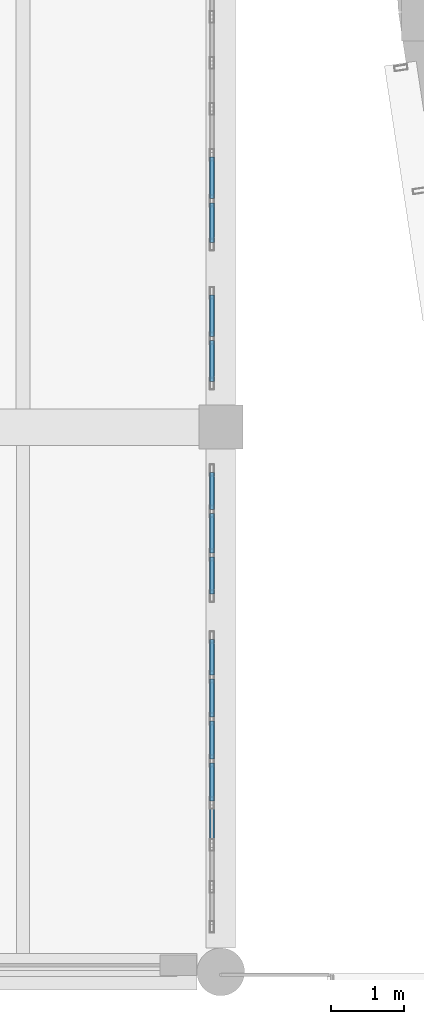
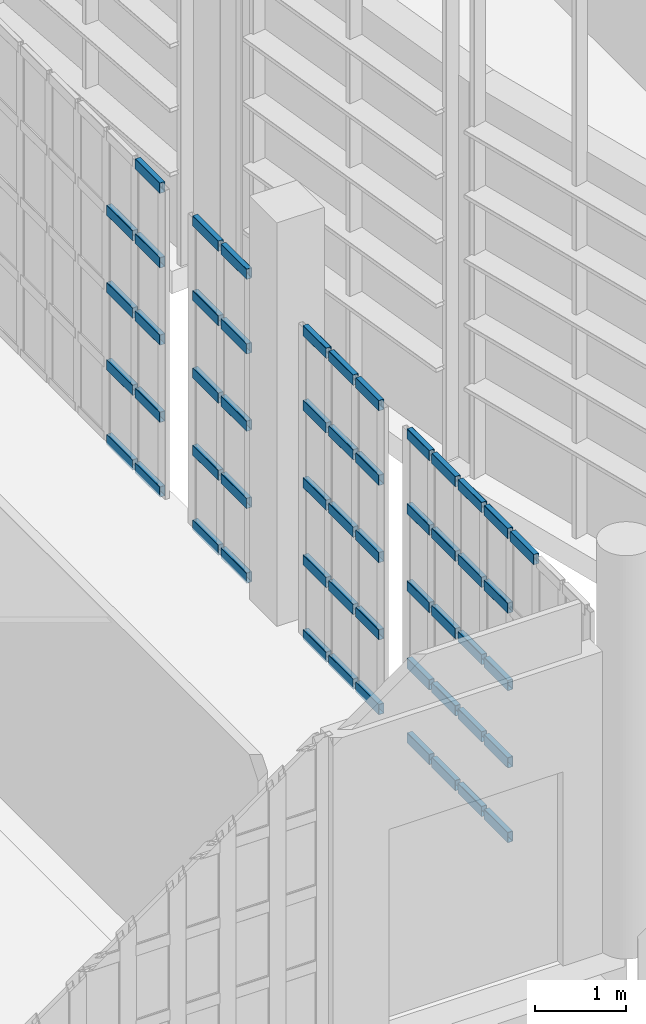
# One storey, part 302 of 372: 55 members, 4 elements without a shape of their own.
"""IFC4 building model written with IfcOpenShell, lengths in metres."""

from ifc_helpers import new_model, si_unit, direction, frame, origin, origin_2d, place, context, subcontext, project, spatial, hollow_rectangle, extrude, material, material_profile, profile_set, type_object, element, aggregate, save


model = new_model("IFC4")

# Units and contexts
model_context = context("Model", 3, precision=1e-05, world=origin(), true_north=direction((0.0, 1.0)))
body_context = subcontext(model_context, "Body", "Model", "MODEL_VIEW")
ifc_project = project(units=[si_unit("LENGTHUNIT", "METRE"), si_unit("AREAUNIT", "SQUARE_METRE"), si_unit("VOLUMEUNIT", "CUBIC_METRE"), si_unit("PLANEANGLEUNIT", "RADIAN"), si_unit("MASSUNIT", "GRAM", prefix="KILO")], contexts=[model_context])

# Site, building, storey
site_placement = place(None, origin())
site = spatial("IfcSite", under=ifc_project, at=site_placement, CompositionType="ELEMENT")
building_placement = place(site_placement, origin())
building = spatial("IfcBuilding", under=site, at=building_placement, Name="Kaelora Sail Theatre", CompositionType="ELEMENT")
storey_placement = place(building_placement, origin())
storey = spatial("IfcBuildingStorey", under=building, at=storey_placement, Name="L00", CompositionType="ELEMENT", Elevation=0.0)

# Curtain wall, members
ifc_material_1 = material(Name="Anodised aluminium and solar-control low-E IGU", Category="aluminium")
curtain_wall_type = type_object("IfcCurtainWallType", Name="ARC-CW-CW-FOY1", PredefinedType="NOTDEFINED", material=ifc_material_1)
curtain_wall_1_placement = place(storey_placement, origin())
curtain_wall_1 = element("IfcCurtainWall", 1, at=curtain_wall_1_placement, inside=storey, type_object=curtain_wall_type, Name="West Interstitial Foyer East Glazed Return L00-01", PredefinedType="NOTDEFINED")
ifc_material_2 = material(Name="Anodised aluminium 6063-T6", Category="aluminium")
ifc_material_profile = material_profile(ifc_material_2, hollow_rectangle(XDim=0.070068359375, YDim=0.139892578125, WallThickness=0.00390625, InnerFilletRadius=0.00390625, OuterFilletRadius=0.008056640625, at=origin_2d()), Name="ALU-TRAN 70x140x4")
ifc_profile_set = profile_set([ifc_material_profile], Name="Anodised aluminium 6063-T6")
member_type = type_object("IfcMemberType", Name="ARC-MEM-TR-140", PredefinedType="USERDEFINED", material=ifc_profile_set)
member_1_placement = place(storey_placement, frame((74.280029296875, 40.462158203125, 4.10205078125), z_axis=(0.0, 1.0, 0.0), x_axis=(-1.0, 0.0, 0.0)))
member_1 = element("IfcMember", 2, at=member_1_placement, type_object=member_type, Name="CW-FOY1 transom 3.5", ObjectType="TRANSOM", PredefinedType="USERDEFINED", context=body_context, shape_type="SweptSolid", body=[
    extrude(hollow_rectangle(XDim=0.070068359375, YDim=0.139892578125, WallThickness=0.00390625, InnerFilletRadius=0.00390625, OuterFilletRadius=0.008056640625, at=origin_2d()), origin(), (0.0, 0.0, 1.0), 0.513671875),
])
member_2_placement = place(storey_placement, frame((74.280029296875, 41.03564453125, 0.034912109375), z_axis=(0.0, 1.0, 0.0), x_axis=(-1.0, 0.0, 0.0)))
member_2 = element("IfcMember", 3, at=member_2_placement, type_object=member_type, Name="CW-FOY1 transom 4.1", ObjectType="TRANSOM", PredefinedType="USERDEFINED", context=body_context, shape_type="SweptSolid", body=[
    extrude(hollow_rectangle(XDim=0.070068359375, YDim=0.139892578125, WallThickness=0.00390625, InnerFilletRadius=0.00390625, OuterFilletRadius=0.008056640625, at=origin_2d()), origin(), (0.0, 0.0, 1.0), 0.513671875),
])
member_3_placement = place(storey_placement, frame((74.280029296875, 41.03564453125, 1.0341796875), z_axis=(0.0, 1.0, 0.0), x_axis=(-1.0, 0.0, 0.0)))
member_3 = element("IfcMember", 4, at=member_3_placement, type_object=member_type, Name="CW-FOY1 transom 4.2", ObjectType="TRANSOM", PredefinedType="USERDEFINED", context=body_context, shape_type="SweptSolid", body=[
    extrude(hollow_rectangle(XDim=0.070068359375, YDim=0.139892578125, WallThickness=0.00390625, InnerFilletRadius=0.00390625, OuterFilletRadius=0.008056640625, at=origin_2d()), origin(), (0.0, 0.0, 1.0), 0.513671875),
])
member_4_placement = place(storey_placement, frame((74.280029296875, 41.03564453125, 2.068603515625), z_axis=(0.0, 1.0, 0.0), x_axis=(-1.0, 0.0, 0.0)))
member_4 = element("IfcMember", 5, at=member_4_placement, type_object=member_type, Name="CW-FOY1 transom 4.3", ObjectType="TRANSOM", PredefinedType="USERDEFINED", context=body_context, shape_type="SweptSolid", body=[
    extrude(hollow_rectangle(XDim=0.070068359375, YDim=0.139892578125, WallThickness=0.00390625, InnerFilletRadius=0.00390625, OuterFilletRadius=0.008056640625, at=origin_2d()), origin(), (0.0, 0.0, 1.0), 0.513671875),
])
member_5_placement = place(storey_placement, frame((74.280029296875, 41.03564453125, 3.102783203125), z_axis=(0.0, 1.0, 0.0), x_axis=(-1.0, 0.0, 0.0)))
member_5 = element("IfcMember", 6, at=member_5_placement, type_object=member_type, Name="CW-FOY1 transom 4.4", ObjectType="TRANSOM", PredefinedType="USERDEFINED", context=body_context, shape_type="SweptSolid", body=[
    extrude(hollow_rectangle(XDim=0.070068359375, YDim=0.139892578125, WallThickness=0.00390625, InnerFilletRadius=0.00390625, OuterFilletRadius=0.008056640625, at=origin_2d()), origin(), (0.0, 0.0, 1.0), 0.513671875),
])
member_6_placement = place(storey_placement, frame((74.280029296875, 41.03564453125, 4.10205078125), z_axis=(0.0, 1.0, 0.0), x_axis=(-1.0, 0.0, 0.0)))
member_6 = element("IfcMember", 7, at=member_6_placement, type_object=member_type, Name="CW-FOY1 transom 4.5", ObjectType="TRANSOM", PredefinedType="USERDEFINED", context=body_context, shape_type="SweptSolid", body=[
    extrude(hollow_rectangle(XDim=0.070068359375, YDim=0.139892578125, WallThickness=0.00390625, InnerFilletRadius=0.00390625, OuterFilletRadius=0.008056640625, at=origin_2d()), origin(), (0.0, 0.0, 1.0), 0.513671875),
])
member_7_placement = place(storey_placement, frame((74.280029296875, 41.609375, 0.034912109375), z_axis=(0.0, 1.0, 0.0), x_axis=(-1.0, 0.0, 0.0)))
member_7 = element("IfcMember", 8, at=member_7_placement, type_object=member_type, Name="CW-FOY1 transom 5.1", ObjectType="TRANSOM", PredefinedType="USERDEFINED", context=body_context, shape_type="SweptSolid", body=[
    extrude(hollow_rectangle(XDim=0.070068359375, YDim=0.139892578125, WallThickness=0.00390625, InnerFilletRadius=0.00390625, OuterFilletRadius=0.008056640625, at=origin_2d()), origin(), (0.0, 0.0, 1.0), 0.513427734375),
])
member_8_placement = place(storey_placement, frame((74.280029296875, 41.609375, 1.0341796875), z_axis=(0.0, 1.0, 0.0), x_axis=(-1.0, 0.0, 0.0)))
member_8 = element("IfcMember", 9, at=member_8_placement, type_object=member_type, Name="CW-FOY1 transom 5.2", ObjectType="TRANSOM", PredefinedType="USERDEFINED", context=body_context, shape_type="SweptSolid", body=[
    extrude(hollow_rectangle(XDim=0.070068359375, YDim=0.139892578125, WallThickness=0.00390625, InnerFilletRadius=0.00390625, OuterFilletRadius=0.008056640625, at=origin_2d()), origin(), (0.0, 0.0, 1.0), 0.513427734375),
])
member_9_placement = place(storey_placement, frame((74.280029296875, 41.609375, 2.068603515625), z_axis=(0.0, 1.0, 0.0), x_axis=(-1.0, 0.0, 0.0)))
member_9 = element("IfcMember", 10, at=member_9_placement, type_object=member_type, Name="CW-FOY1 transom 5.3", ObjectType="TRANSOM", PredefinedType="USERDEFINED", context=body_context, shape_type="SweptSolid", body=[
    extrude(hollow_rectangle(XDim=0.070068359375, YDim=0.139892578125, WallThickness=0.00390625, InnerFilletRadius=0.00390625, OuterFilletRadius=0.008056640625, at=origin_2d()), origin(), (0.0, 0.0, 1.0), 0.513427734375),
])
member_10_placement = place(storey_placement, frame((74.280029296875, 41.609375, 3.102783203125), z_axis=(0.0, 1.0, 0.0), x_axis=(-1.0, 0.0, 0.0)))
member_10 = element("IfcMember", 11, at=member_10_placement, type_object=member_type, Name="CW-FOY1 transom 5.4", ObjectType="TRANSOM", PredefinedType="USERDEFINED", context=body_context, shape_type="SweptSolid", body=[
    extrude(hollow_rectangle(XDim=0.070068359375, YDim=0.139892578125, WallThickness=0.00390625, InnerFilletRadius=0.00390625, OuterFilletRadius=0.008056640625, at=origin_2d()), origin(), (0.0, 0.0, 1.0), 0.513427734375),
])
member_11_placement = place(storey_placement, frame((74.280029296875, 41.609375, 4.10205078125), z_axis=(0.0, 1.0, 0.0), x_axis=(-1.0, 0.0, 0.0)))
member_11 = element("IfcMember", 12, at=member_11_placement, type_object=member_type, Name="CW-FOY1 transom 5.5", ObjectType="TRANSOM", PredefinedType="USERDEFINED", context=body_context, shape_type="SweptSolid", body=[
    extrude(hollow_rectangle(XDim=0.070068359375, YDim=0.139892578125, WallThickness=0.00390625, InnerFilletRadius=0.00390625, OuterFilletRadius=0.008056640625, at=origin_2d()), origin(), (0.0, 0.0, 1.0), 0.513427734375),
])
member_12_placement = place(storey_placement, frame((74.280029296875, 42.182861328125, 0.034912109375), z_axis=(0.0, 1.0, 0.0), x_axis=(-1.0, 0.0, 0.0)))
member_12 = element("IfcMember", 13, at=member_12_placement, type_object=member_type, Name="CW-FOY1 transom 6.1", ObjectType="TRANSOM", PredefinedType="USERDEFINED", context=body_context, shape_type="SweptSolid", body=[
    extrude(hollow_rectangle(XDim=0.070068359375, YDim=0.139892578125, WallThickness=0.00390625, InnerFilletRadius=0.00390625, OuterFilletRadius=0.008056640625, at=origin_2d()), origin(), (0.0, 0.0, 1.0), 0.513671875),
])
member_13_placement = place(storey_placement, frame((74.280029296875, 42.182861328125, 1.0341796875), z_axis=(0.0, 1.0, 0.0), x_axis=(-1.0, 0.0, 0.0)))
member_13 = element("IfcMember", 14, at=member_13_placement, type_object=member_type, Name="CW-FOY1 transom 6.2", ObjectType="TRANSOM", PredefinedType="USERDEFINED", context=body_context, shape_type="SweptSolid", body=[
    extrude(hollow_rectangle(XDim=0.070068359375, YDim=0.139892578125, WallThickness=0.00390625, InnerFilletRadius=0.00390625, OuterFilletRadius=0.008056640625, at=origin_2d()), origin(), (0.0, 0.0, 1.0), 0.513671875),
])
member_14_placement = place(storey_placement, frame((74.280029296875, 42.182861328125, 2.068603515625), z_axis=(0.0, 1.0, 0.0), x_axis=(-1.0, 0.0, 0.0)))
member_14 = element("IfcMember", 15, at=member_14_placement, type_object=member_type, Name="CW-FOY1 transom 6.3", ObjectType="TRANSOM", PredefinedType="USERDEFINED", context=body_context, shape_type="SweptSolid", body=[
    extrude(hollow_rectangle(XDim=0.070068359375, YDim=0.139892578125, WallThickness=0.00390625, InnerFilletRadius=0.00390625, OuterFilletRadius=0.008056640625, at=origin_2d()), origin(), (0.0, 0.0, 1.0), 0.513671875),
])
member_15_placement = place(storey_placement, frame((74.280029296875, 42.182861328125, 3.102783203125), z_axis=(0.0, 1.0, 0.0), x_axis=(-1.0, 0.0, 0.0)))
member_15 = element("IfcMember", 16, at=member_15_placement, type_object=member_type, Name="CW-FOY1 transom 6.4", ObjectType="TRANSOM", PredefinedType="USERDEFINED", context=body_context, shape_type="SweptSolid", body=[
    extrude(hollow_rectangle(XDim=0.070068359375, YDim=0.139892578125, WallThickness=0.00390625, InnerFilletRadius=0.00390625, OuterFilletRadius=0.008056640625, at=origin_2d()), origin(), (0.0, 0.0, 1.0), 0.513671875),
])
member_16_placement = place(storey_placement, frame((74.280029296875, 42.182861328125, 4.10205078125), z_axis=(0.0, 1.0, 0.0), x_axis=(-1.0, 0.0, 0.0)))
member_16 = element("IfcMember", 17, at=member_16_placement, type_object=member_type, Name="CW-FOY1 transom 6.5", ObjectType="TRANSOM", PredefinedType="USERDEFINED", context=body_context, shape_type="SweptSolid", body=[
    extrude(hollow_rectangle(XDim=0.070068359375, YDim=0.139892578125, WallThickness=0.00390625, InnerFilletRadius=0.00390625, OuterFilletRadius=0.008056640625, at=origin_2d()), origin(), (0.0, 0.0, 1.0), 0.513671875),
])
member_17_placement = place(storey_placement, frame((74.280029296875, 42.75634765625, 0.034912109375), z_axis=(0.0, 1.0, 0.0), x_axis=(-1.0, 0.0, 0.0)))
member_17 = element("IfcMember", 18, at=member_17_placement, type_object=member_type, Name="CW-FOY1 transom 7.1", ObjectType="TRANSOM", PredefinedType="USERDEFINED", context=body_context, shape_type="SweptSolid", body=[
    extrude(hollow_rectangle(XDim=0.070068359375, YDim=0.139892578125, WallThickness=0.00390625, InnerFilletRadius=0.00390625, OuterFilletRadius=0.008056640625, at=origin_2d()), origin(), (0.0, 0.0, 1.0), 0.483642578125),
])
member_18_placement = place(storey_placement, frame((74.280029296875, 42.75634765625, 1.0341796875), z_axis=(0.0, 1.0, 0.0), x_axis=(-1.0, 0.0, 0.0)))
member_18 = element("IfcMember", 19, at=member_18_placement, type_object=member_type, Name="CW-FOY1 transom 7.2", ObjectType="TRANSOM", PredefinedType="USERDEFINED", context=body_context, shape_type="SweptSolid", body=[
    extrude(hollow_rectangle(XDim=0.070068359375, YDim=0.139892578125, WallThickness=0.00390625, InnerFilletRadius=0.00390625, OuterFilletRadius=0.008056640625, at=origin_2d()), origin(), (0.0, 0.0, 1.0), 0.483642578125),
])
member_19_placement = place(storey_placement, frame((74.280029296875, 42.75634765625, 2.068603515625), z_axis=(0.0, 1.0, 0.0), x_axis=(-1.0, 0.0, 0.0)))
member_19 = element("IfcMember", 20, at=member_19_placement, type_object=member_type, Name="CW-FOY1 transom 7.3", ObjectType="TRANSOM", PredefinedType="USERDEFINED", context=body_context, shape_type="SweptSolid", body=[
    extrude(hollow_rectangle(XDim=0.070068359375, YDim=0.139892578125, WallThickness=0.00390625, InnerFilletRadius=0.00390625, OuterFilletRadius=0.008056640625, at=origin_2d()), origin(), (0.0, 0.0, 1.0), 0.483642578125),
])
member_20_placement = place(storey_placement, frame((74.280029296875, 42.75634765625, 3.102783203125), z_axis=(0.0, 1.0, 0.0), x_axis=(-1.0, 0.0, 0.0)))
member_20 = element("IfcMember", 21, at=member_20_placement, type_object=member_type, Name="CW-FOY1 transom 7.4", ObjectType="TRANSOM", PredefinedType="USERDEFINED", context=body_context, shape_type="SweptSolid", body=[
    extrude(hollow_rectangle(XDim=0.070068359375, YDim=0.139892578125, WallThickness=0.00390625, InnerFilletRadius=0.00390625, OuterFilletRadius=0.008056640625, at=origin_2d()), origin(), (0.0, 0.0, 1.0), 0.483642578125),
])
member_21_placement = place(storey_placement, frame((74.280029296875, 42.75634765625, 4.10205078125), z_axis=(0.0, 1.0, 0.0), x_axis=(-1.0, 0.0, 0.0)))
member_21 = element("IfcMember", 22, at=member_21_placement, type_object=member_type, Name="CW-FOY1 transom 7.5", ObjectType="TRANSOM", PredefinedType="USERDEFINED", context=body_context, shape_type="SweptSolid", body=[
    extrude(hollow_rectangle(XDim=0.070068359375, YDim=0.139892578125, WallThickness=0.00390625, InnerFilletRadius=0.00390625, OuterFilletRadius=0.008056640625, at=origin_2d()), origin(), (0.0, 0.0, 1.0), 0.483642578125),
])
aggregate(curtain_wall_1, [member_1, member_2, member_3, member_4, member_5, member_6, member_7, member_8, member_9, member_10, member_11, member_12, member_13, member_14, member_15, member_16, member_17, member_18, member_19, member_20, member_21])

curtain_wall_2_placement = place(storey_placement, origin())
curtain_wall_2 = element("IfcCurtainWall", 23, at=curtain_wall_2_placement, inside=storey, type_object=curtain_wall_type, Name="West Interstitial Foyer East Glazed Return L00-02", PredefinedType="NOTDEFINED")
member_22_placement = place(storey_placement, frame((74.280029296875, 43.860107421875, 0.034912109375), z_axis=(0.0, 1.0, 0.0), x_axis=(-1.0, 0.0, 0.0)))
member_22 = element("IfcMember", 24, at=member_22_placement, type_object=member_type, Name="CW-FOY1 transom 1.1", ObjectType="TRANSOM", PredefinedType="USERDEFINED", context=body_context, shape_type="SweptSolid", body=[
    extrude(hollow_rectangle(XDim=0.070068359375, YDim=0.139892578125, WallThickness=0.00390625, InnerFilletRadius=0.00390625, OuterFilletRadius=0.008056640625, at=origin_2d()), origin(), (0.0, 0.0, 1.0), 0.503173828125),
])
member_23_placement = place(storey_placement, frame((74.280029296875, 43.860107421875, 1.0341796875), z_axis=(0.0, 1.0, 0.0), x_axis=(-1.0, 0.0, 0.0)))
member_23 = element("IfcMember", 25, at=member_23_placement, type_object=member_type, Name="CW-FOY1 transom 1.2", ObjectType="TRANSOM", PredefinedType="USERDEFINED", context=body_context, shape_type="SweptSolid", body=[
    extrude(hollow_rectangle(XDim=0.070068359375, YDim=0.139892578125, WallThickness=0.00390625, InnerFilletRadius=0.00390625, OuterFilletRadius=0.008056640625, at=origin_2d()), origin(), (0.0, 0.0, 1.0), 0.503173828125),
])
member_24_placement = place(storey_placement, frame((74.280029296875, 43.860107421875, 2.068603515625), z_axis=(0.0, 1.0, 0.0), x_axis=(-1.0, 0.0, 0.0)))
member_24 = element("IfcMember", 26, at=member_24_placement, type_object=member_type, Name="CW-FOY1 transom 1.3", ObjectType="TRANSOM", PredefinedType="USERDEFINED", context=body_context, shape_type="SweptSolid", body=[
    extrude(hollow_rectangle(XDim=0.070068359375, YDim=0.139892578125, WallThickness=0.00390625, InnerFilletRadius=0.00390625, OuterFilletRadius=0.008056640625, at=origin_2d()), origin(), (0.0, 0.0, 1.0), 0.503173828125),
])
member_25_placement = place(storey_placement, frame((74.280029296875, 43.860107421875, 3.102783203125), z_axis=(0.0, 1.0, 0.0), x_axis=(-1.0, 0.0, 0.0)))
member_25 = element("IfcMember", 27, at=member_25_placement, type_object=member_type, Name="CW-FOY1 transom 1.4", ObjectType="TRANSOM", PredefinedType="USERDEFINED", context=body_context, shape_type="SweptSolid", body=[
    extrude(hollow_rectangle(XDim=0.070068359375, YDim=0.139892578125, WallThickness=0.00390625, InnerFilletRadius=0.00390625, OuterFilletRadius=0.008056640625, at=origin_2d()), origin(), (0.0, 0.0, 1.0), 0.503173828125),
])
member_26_placement = place(storey_placement, frame((74.280029296875, 43.860107421875, 4.10205078125), z_axis=(0.0, 1.0, 0.0), x_axis=(-1.0, 0.0, 0.0)))
member_26 = element("IfcMember", 28, at=member_26_placement, type_object=member_type, Name="CW-FOY1 transom 1.5", ObjectType="TRANSOM", PredefinedType="USERDEFINED", context=body_context, shape_type="SweptSolid", body=[
    extrude(hollow_rectangle(XDim=0.070068359375, YDim=0.139892578125, WallThickness=0.00390625, InnerFilletRadius=0.00390625, OuterFilletRadius=0.008056640625, at=origin_2d()), origin(), (0.0, 0.0, 1.0), 0.503173828125),
])
member_27_placement = place(storey_placement, frame((74.280029296875, 44.42333984375, 0.034912109375), z_axis=(0.0, 1.0, 0.0), x_axis=(-1.0, 0.0, 0.0)))
member_27 = element("IfcMember", 29, at=member_27_placement, type_object=member_type, Name="CW-FOY1 transom 2.1", ObjectType="TRANSOM", PredefinedType="USERDEFINED", context=body_context, shape_type="SweptSolid", body=[
    extrude(hollow_rectangle(XDim=0.070068359375, YDim=0.139892578125, WallThickness=0.00390625, InnerFilletRadius=0.00390625, OuterFilletRadius=0.008056640625, at=origin_2d()), origin(), (0.0, 0.0, 1.0), 0.533447265625),
])
member_28_placement = place(storey_placement, frame((74.280029296875, 44.42333984375, 1.0341796875), z_axis=(0.0, 1.0, 0.0), x_axis=(-1.0, 0.0, 0.0)))
member_28 = element("IfcMember", 30, at=member_28_placement, type_object=member_type, Name="CW-FOY1 transom 2.2", ObjectType="TRANSOM", PredefinedType="USERDEFINED", context=body_context, shape_type="SweptSolid", body=[
    extrude(hollow_rectangle(XDim=0.070068359375, YDim=0.139892578125, WallThickness=0.00390625, InnerFilletRadius=0.00390625, OuterFilletRadius=0.008056640625, at=origin_2d()), origin(), (0.0, 0.0, 1.0), 0.533447265625),
])
member_29_placement = place(storey_placement, frame((74.280029296875, 44.42333984375, 2.068603515625), z_axis=(0.0, 1.0, 0.0), x_axis=(-1.0, 0.0, 0.0)))
member_29 = element("IfcMember", 31, at=member_29_placement, type_object=member_type, Name="CW-FOY1 transom 2.3", ObjectType="TRANSOM", PredefinedType="USERDEFINED", context=body_context, shape_type="SweptSolid", body=[
    extrude(hollow_rectangle(XDim=0.070068359375, YDim=0.139892578125, WallThickness=0.00390625, InnerFilletRadius=0.00390625, OuterFilletRadius=0.008056640625, at=origin_2d()), origin(), (0.0, 0.0, 1.0), 0.533447265625),
])
member_30_placement = place(storey_placement, frame((74.280029296875, 44.42333984375, 3.102783203125), z_axis=(0.0, 1.0, 0.0), x_axis=(-1.0, 0.0, 0.0)))
member_30 = element("IfcMember", 32, at=member_30_placement, type_object=member_type, Name="CW-FOY1 transom 2.4", ObjectType="TRANSOM", PredefinedType="USERDEFINED", context=body_context, shape_type="SweptSolid", body=[
    extrude(hollow_rectangle(XDim=0.070068359375, YDim=0.139892578125, WallThickness=0.00390625, InnerFilletRadius=0.00390625, OuterFilletRadius=0.008056640625, at=origin_2d()), origin(), (0.0, 0.0, 1.0), 0.533447265625),
])
member_31_placement = place(storey_placement, frame((74.280029296875, 44.42333984375, 4.10205078125), z_axis=(0.0, 1.0, 0.0), x_axis=(-1.0, 0.0, 0.0)))
member_31 = element("IfcMember", 33, at=member_31_placement, type_object=member_type, Name="CW-FOY1 transom 2.5", ObjectType="TRANSOM", PredefinedType="USERDEFINED", context=body_context, shape_type="SweptSolid", body=[
    extrude(hollow_rectangle(XDim=0.070068359375, YDim=0.139892578125, WallThickness=0.00390625, InnerFilletRadius=0.00390625, OuterFilletRadius=0.008056640625, at=origin_2d()), origin(), (0.0, 0.0, 1.0), 0.533447265625),
])
member_32_placement = place(storey_placement, frame((74.280029296875, 45.0166015625, 0.034912109375), z_axis=(0.0, 1.0, 0.0), x_axis=(-1.0, 0.0, 0.0)))
member_32 = element("IfcMember", 34, at=member_32_placement, type_object=member_type, Name="CW-FOY1 transom 3.1", ObjectType="TRANSOM", PredefinedType="USERDEFINED", context=body_context, shape_type="SweptSolid", body=[
    extrude(hollow_rectangle(XDim=0.070068359375, YDim=0.139892578125, WallThickness=0.00390625, InnerFilletRadius=0.00390625, OuterFilletRadius=0.008056640625, at=origin_2d()), origin(), (0.0, 0.0, 1.0), 0.50341796875),
])
member_33_placement = place(storey_placement, frame((74.280029296875, 45.0166015625, 1.0341796875), z_axis=(0.0, 1.0, 0.0), x_axis=(-1.0, 0.0, 0.0)))
member_33 = element("IfcMember", 35, at=member_33_placement, type_object=member_type, Name="CW-FOY1 transom 3.2", ObjectType="TRANSOM", PredefinedType="USERDEFINED", context=body_context, shape_type="SweptSolid", body=[
    extrude(hollow_rectangle(XDim=0.070068359375, YDim=0.139892578125, WallThickness=0.00390625, InnerFilletRadius=0.00390625, OuterFilletRadius=0.008056640625, at=origin_2d()), origin(), (0.0, 0.0, 1.0), 0.50341796875),
])
member_34_placement = place(storey_placement, frame((74.280029296875, 45.0166015625, 2.068603515625), z_axis=(0.0, 1.0, 0.0), x_axis=(-1.0, 0.0, 0.0)))
member_34 = element("IfcMember", 36, at=member_34_placement, type_object=member_type, Name="CW-FOY1 transom 3.3", ObjectType="TRANSOM", PredefinedType="USERDEFINED", context=body_context, shape_type="SweptSolid", body=[
    extrude(hollow_rectangle(XDim=0.070068359375, YDim=0.139892578125, WallThickness=0.00390625, InnerFilletRadius=0.00390625, OuterFilletRadius=0.008056640625, at=origin_2d()), origin(), (0.0, 0.0, 1.0), 0.50341796875),
])
member_35_placement = place(storey_placement, frame((74.280029296875, 45.0166015625, 3.102783203125), z_axis=(0.0, 1.0, 0.0), x_axis=(-1.0, 0.0, 0.0)))
member_35 = element("IfcMember", 37, at=member_35_placement, type_object=member_type, Name="CW-FOY1 transom 3.4", ObjectType="TRANSOM", PredefinedType="USERDEFINED", context=body_context, shape_type="SweptSolid", body=[
    extrude(hollow_rectangle(XDim=0.070068359375, YDim=0.139892578125, WallThickness=0.00390625, InnerFilletRadius=0.00390625, OuterFilletRadius=0.008056640625, at=origin_2d()), origin(), (0.0, 0.0, 1.0), 0.50341796875),
])
member_36_placement = place(storey_placement, frame((74.280029296875, 45.0166015625, 4.10205078125), z_axis=(0.0, 1.0, 0.0), x_axis=(-1.0, 0.0, 0.0)))
member_36 = element("IfcMember", 38, at=member_36_placement, type_object=member_type, Name="CW-FOY1 transom 3.5", ObjectType="TRANSOM", PredefinedType="USERDEFINED", context=body_context, shape_type="SweptSolid", body=[
    extrude(hollow_rectangle(XDim=0.070068359375, YDim=0.139892578125, WallThickness=0.00390625, InnerFilletRadius=0.00390625, OuterFilletRadius=0.008056640625, at=origin_2d()), origin(), (0.0, 0.0, 1.0), 0.50341796875),
])
aggregate(curtain_wall_2, [member_22, member_23, member_24, member_25, member_26, member_27, member_28, member_29, member_30, member_31, member_32, member_33, member_34, member_35, member_36])

curtain_wall_3_placement = place(storey_placement, origin())
curtain_wall_3 = element("IfcCurtainWall", 39, at=curtain_wall_3_placement, inside=storey, type_object=curtain_wall_type, Name="West Interstitial Foyer East Glazed Return L00-02", PredefinedType="NOTDEFINED")
member_37_placement = place(storey_placement, frame((74.280029296875, 46.760009765625, 0.034912109375), z_axis=(0.0, 1.0, 0.0), x_axis=(-1.0, 0.0, 0.0)))
member_37 = element("IfcMember", 40, at=member_37_placement, type_object=member_type, Name="CW-FOY1 transom 1.1", ObjectType="TRANSOM", PredefinedType="USERDEFINED", context=body_context, shape_type="SweptSolid", body=[
    extrude(hollow_rectangle(XDim=0.070068359375, YDim=0.139892578125, WallThickness=0.00390625, InnerFilletRadius=0.00390625, OuterFilletRadius=0.008056640625, at=origin_2d()), origin(), (0.0, 0.0, 1.0), 0.56005859375),
])
member_38_placement = place(storey_placement, frame((74.280029296875, 46.760009765625, 1.0341796875), z_axis=(0.0, 1.0, 0.0), x_axis=(-1.0, 0.0, 0.0)))
member_38 = element("IfcMember", 41, at=member_38_placement, type_object=member_type, Name="CW-FOY1 transom 1.2", ObjectType="TRANSOM", PredefinedType="USERDEFINED", context=body_context, shape_type="SweptSolid", body=[
    extrude(hollow_rectangle(XDim=0.070068359375, YDim=0.139892578125, WallThickness=0.00390625, InnerFilletRadius=0.00390625, OuterFilletRadius=0.008056640625, at=origin_2d()), origin(), (0.0, 0.0, 1.0), 0.56005859375),
])
member_39_placement = place(storey_placement, frame((74.280029296875, 46.760009765625, 2.068603515625), z_axis=(0.0, 1.0, 0.0), x_axis=(-1.0, 0.0, 0.0)))
member_39 = element("IfcMember", 42, at=member_39_placement, type_object=member_type, Name="CW-FOY1 transom 1.3", ObjectType="TRANSOM", PredefinedType="USERDEFINED", context=body_context, shape_type="SweptSolid", body=[
    extrude(hollow_rectangle(XDim=0.070068359375, YDim=0.139892578125, WallThickness=0.00390625, InnerFilletRadius=0.00390625, OuterFilletRadius=0.008056640625, at=origin_2d()), origin(), (0.0, 0.0, 1.0), 0.56005859375),
])
member_40_placement = place(storey_placement, frame((74.280029296875, 46.760009765625, 3.102783203125), z_axis=(0.0, 1.0, 0.0), x_axis=(-1.0, 0.0, 0.0)))
member_40 = element("IfcMember", 43, at=member_40_placement, type_object=member_type, Name="CW-FOY1 transom 1.4", ObjectType="TRANSOM", PredefinedType="USERDEFINED", context=body_context, shape_type="SweptSolid", body=[
    extrude(hollow_rectangle(XDim=0.070068359375, YDim=0.139892578125, WallThickness=0.00390625, InnerFilletRadius=0.00390625, OuterFilletRadius=0.008056640625, at=origin_2d()), origin(), (0.0, 0.0, 1.0), 0.56005859375),
])
member_41_placement = place(storey_placement, frame((74.280029296875, 46.760009765625, 4.10205078125), z_axis=(0.0, 1.0, 0.0), x_axis=(-1.0, 0.0, 0.0)))
member_41 = element("IfcMember", 44, at=member_41_placement, type_object=member_type, Name="CW-FOY1 transom 1.5", ObjectType="TRANSOM", PredefinedType="USERDEFINED", context=body_context, shape_type="SweptSolid", body=[
    extrude(hollow_rectangle(XDim=0.070068359375, YDim=0.139892578125, WallThickness=0.00390625, InnerFilletRadius=0.00390625, OuterFilletRadius=0.008056640625, at=origin_2d()), origin(), (0.0, 0.0, 1.0), 0.56005859375),
])
member_42_placement = place(storey_placement, frame((74.280029296875, 47.3798828125, 0.034912109375), z_axis=(0.0, 1.0, 0.0), x_axis=(-1.0, 0.0, 0.0)))
member_42 = element("IfcMember", 45, at=member_42_placement, type_object=member_type, Name="CW-FOY1 transom 2.1", ObjectType="TRANSOM", PredefinedType="USERDEFINED", context=body_context, shape_type="SweptSolid", body=[
    extrude(hollow_rectangle(XDim=0.070068359375, YDim=0.139892578125, WallThickness=0.00390625, InnerFilletRadius=0.00390625, OuterFilletRadius=0.008056640625, at=origin_2d()), origin(), (0.0, 0.0, 1.0), 0.56005859375),
])
member_43_placement = place(storey_placement, frame((74.280029296875, 47.3798828125, 1.0341796875), z_axis=(0.0, 1.0, 0.0), x_axis=(-1.0, 0.0, 0.0)))
member_43 = element("IfcMember", 46, at=member_43_placement, type_object=member_type, Name="CW-FOY1 transom 2.2", ObjectType="TRANSOM", PredefinedType="USERDEFINED", context=body_context, shape_type="SweptSolid", body=[
    extrude(hollow_rectangle(XDim=0.070068359375, YDim=0.139892578125, WallThickness=0.00390625, InnerFilletRadius=0.00390625, OuterFilletRadius=0.008056640625, at=origin_2d()), origin(), (0.0, 0.0, 1.0), 0.56005859375),
])
member_44_placement = place(storey_placement, frame((74.280029296875, 47.3798828125, 2.068603515625), z_axis=(0.0, 1.0, 0.0), x_axis=(-1.0, 0.0, 0.0)))
member_44 = element("IfcMember", 47, at=member_44_placement, type_object=member_type, Name="CW-FOY1 transom 2.3", ObjectType="TRANSOM", PredefinedType="USERDEFINED", context=body_context, shape_type="SweptSolid", body=[
    extrude(hollow_rectangle(XDim=0.070068359375, YDim=0.139892578125, WallThickness=0.00390625, InnerFilletRadius=0.00390625, OuterFilletRadius=0.008056640625, at=origin_2d()), origin(), (0.0, 0.0, 1.0), 0.56005859375),
])
member_45_placement = place(storey_placement, frame((74.280029296875, 47.3798828125, 3.102783203125), z_axis=(0.0, 1.0, 0.0), x_axis=(-1.0, 0.0, 0.0)))
member_45 = element("IfcMember", 48, at=member_45_placement, type_object=member_type, Name="CW-FOY1 transom 2.4", ObjectType="TRANSOM", PredefinedType="USERDEFINED", context=body_context, shape_type="SweptSolid", body=[
    extrude(hollow_rectangle(XDim=0.070068359375, YDim=0.139892578125, WallThickness=0.00390625, InnerFilletRadius=0.00390625, OuterFilletRadius=0.008056640625, at=origin_2d()), origin(), (0.0, 0.0, 1.0), 0.56005859375),
])
member_46_placement = place(storey_placement, frame((74.280029296875, 47.3798828125, 4.10205078125), z_axis=(0.0, 1.0, 0.0), x_axis=(-1.0, 0.0, 0.0)))
member_46 = element("IfcMember", 49, at=member_46_placement, type_object=member_type, Name="CW-FOY1 transom 2.5", ObjectType="TRANSOM", PredefinedType="USERDEFINED", context=body_context, shape_type="SweptSolid", body=[
    extrude(hollow_rectangle(XDim=0.070068359375, YDim=0.139892578125, WallThickness=0.00390625, InnerFilletRadius=0.00390625, OuterFilletRadius=0.008056640625, at=origin_2d()), origin(), (0.0, 0.0, 1.0), 0.56005859375),
])
aggregate(curtain_wall_3, [member_37, member_38, member_39, member_40, member_41, member_42, member_43, member_44, member_45, member_46])

curtain_wall_4_placement = place(storey_placement, origin())
curtain_wall_4 = element("IfcCurtainWall", 50, at=curtain_wall_4_placement, inside=storey, type_object=curtain_wall_type, Name="West Interstitial Foyer East Glazed Return L00-03", PredefinedType="NOTDEFINED")
member_47_placement = place(storey_placement, frame((74.280029296875, 48.659912109375, 0.034912109375), z_axis=(0.0, 1.0, 0.0), x_axis=(-1.0, 0.0, 0.0)))
member_47 = element("IfcMember", 51, at=member_47_placement, type_object=member_type, Name="CW-FOY1 transom 1.1", ObjectType="TRANSOM", PredefinedType="USERDEFINED", context=body_context, shape_type="SweptSolid", body=[
    extrude(hollow_rectangle(XDim=0.070068359375, YDim=0.139892578125, WallThickness=0.00390625, InnerFilletRadius=0.00390625, OuterFilletRadius=0.008056640625, at=origin_2d()), origin(), (0.0, 0.0, 1.0), 0.537841796875),
])
member_48_placement = place(storey_placement, frame((74.280029296875, 48.659912109375, 1.0341796875), z_axis=(0.0, 1.0, 0.0), x_axis=(-1.0, 0.0, 0.0)))
member_48 = element("IfcMember", 52, at=member_48_placement, type_object=member_type, Name="CW-FOY1 transom 1.2", ObjectType="TRANSOM", PredefinedType="USERDEFINED", context=body_context, shape_type="SweptSolid", body=[
    extrude(hollow_rectangle(XDim=0.070068359375, YDim=0.139892578125, WallThickness=0.00390625, InnerFilletRadius=0.00390625, OuterFilletRadius=0.008056640625, at=origin_2d()), origin(), (0.0, 0.0, 1.0), 0.537841796875),
])
member_49_placement = place(storey_placement, frame((74.280029296875, 48.659912109375, 2.068603515625), z_axis=(0.0, 1.0, 0.0), x_axis=(-1.0, 0.0, 0.0)))
member_49 = element("IfcMember", 53, at=member_49_placement, type_object=member_type, Name="CW-FOY1 transom 1.3", ObjectType="TRANSOM", PredefinedType="USERDEFINED", context=body_context, shape_type="SweptSolid", body=[
    extrude(hollow_rectangle(XDim=0.070068359375, YDim=0.139892578125, WallThickness=0.00390625, InnerFilletRadius=0.00390625, OuterFilletRadius=0.008056640625, at=origin_2d()), origin(), (0.0, 0.0, 1.0), 0.537841796875),
])
member_50_placement = place(storey_placement, frame((74.280029296875, 48.659912109375, 3.102783203125), z_axis=(0.0, 1.0, 0.0), x_axis=(-1.0, 0.0, 0.0)))
member_50 = element("IfcMember", 54, at=member_50_placement, type_object=member_type, Name="CW-FOY1 transom 1.4", ObjectType="TRANSOM", PredefinedType="USERDEFINED", context=body_context, shape_type="SweptSolid", body=[
    extrude(hollow_rectangle(XDim=0.070068359375, YDim=0.139892578125, WallThickness=0.00390625, InnerFilletRadius=0.00390625, OuterFilletRadius=0.008056640625, at=origin_2d()), origin(), (0.0, 0.0, 1.0), 0.537841796875),
])
member_51_placement = place(storey_placement, frame((74.280029296875, 48.659912109375, 4.10205078125), z_axis=(0.0, 1.0, 0.0), x_axis=(-1.0, 0.0, 0.0)))
member_51 = element("IfcMember", 55, at=member_51_placement, type_object=member_type, Name="CW-FOY1 transom 1.5", ObjectType="TRANSOM", PredefinedType="USERDEFINED", context=body_context, shape_type="SweptSolid", body=[
    extrude(hollow_rectangle(XDim=0.070068359375, YDim=0.139892578125, WallThickness=0.00390625, InnerFilletRadius=0.00390625, OuterFilletRadius=0.008056640625, at=origin_2d()), origin(), (0.0, 0.0, 1.0), 0.537841796875),
])
member_52_placement = place(storey_placement, frame((74.280029296875, 49.2578125, 0.034912109375), z_axis=(0.0, 1.0, 0.0), x_axis=(-1.0, 0.0, 0.0)))
member_52 = element("IfcMember", 56, at=member_52_placement, type_object=member_type, Name="CW-FOY1 transom 2.1", ObjectType="TRANSOM", PredefinedType="USERDEFINED", context=body_context, shape_type="SweptSolid", body=[
    extrude(hollow_rectangle(XDim=0.070068359375, YDim=0.139892578125, WallThickness=0.00390625, InnerFilletRadius=0.00390625, OuterFilletRadius=0.008056640625, at=origin_2d()), origin(), (0.0, 0.0, 1.0), 0.56787109375),
])
member_53_placement = place(storey_placement, frame((74.280029296875, 49.2578125, 1.0341796875), z_axis=(0.0, 1.0, 0.0), x_axis=(-1.0, 0.0, 0.0)))
member_53 = element("IfcMember", 57, at=member_53_placement, type_object=member_type, Name="CW-FOY1 transom 2.2", ObjectType="TRANSOM", PredefinedType="USERDEFINED", context=body_context, shape_type="SweptSolid", body=[
    extrude(hollow_rectangle(XDim=0.070068359375, YDim=0.139892578125, WallThickness=0.00390625, InnerFilletRadius=0.00390625, OuterFilletRadius=0.008056640625, at=origin_2d()), origin(), (0.0, 0.0, 1.0), 0.56787109375),
])
member_54_placement = place(storey_placement, frame((74.280029296875, 49.2578125, 2.068603515625), z_axis=(0.0, 1.0, 0.0), x_axis=(-1.0, 0.0, 0.0)))
member_54 = element("IfcMember", 58, at=member_54_placement, type_object=member_type, Name="CW-FOY1 transom 2.3", ObjectType="TRANSOM", PredefinedType="USERDEFINED", context=body_context, shape_type="SweptSolid", body=[
    extrude(hollow_rectangle(XDim=0.070068359375, YDim=0.139892578125, WallThickness=0.00390625, InnerFilletRadius=0.00390625, OuterFilletRadius=0.008056640625, at=origin_2d()), origin(), (0.0, 0.0, 1.0), 0.56787109375),
])
member_55_placement = place(storey_placement, frame((74.280029296875, 49.2578125, 3.102783203125), z_axis=(0.0, 1.0, 0.0), x_axis=(-1.0, 0.0, 0.0)))
member_55 = element("IfcMember", 59, at=member_55_placement, type_object=member_type, Name="CW-FOY1 transom 2.4", ObjectType="TRANSOM", PredefinedType="USERDEFINED", context=body_context, shape_type="SweptSolid", body=[
    extrude(hollow_rectangle(XDim=0.070068359375, YDim=0.139892578125, WallThickness=0.00390625, InnerFilletRadius=0.00390625, OuterFilletRadius=0.008056640625, at=origin_2d()), origin(), (0.0, 0.0, 1.0), 0.56787109375),
])
aggregate(curtain_wall_4, [member_47, member_48, member_49, member_50, member_51, member_52, member_53, member_54, member_55])

save(model, "model.ifc")
